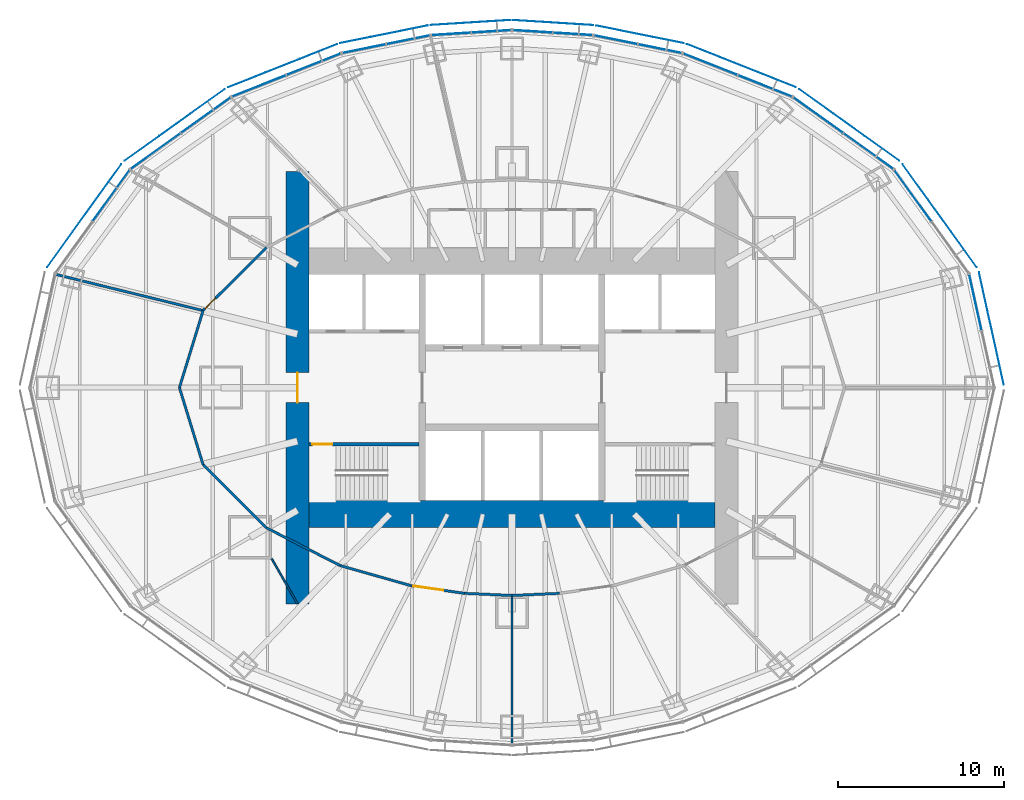
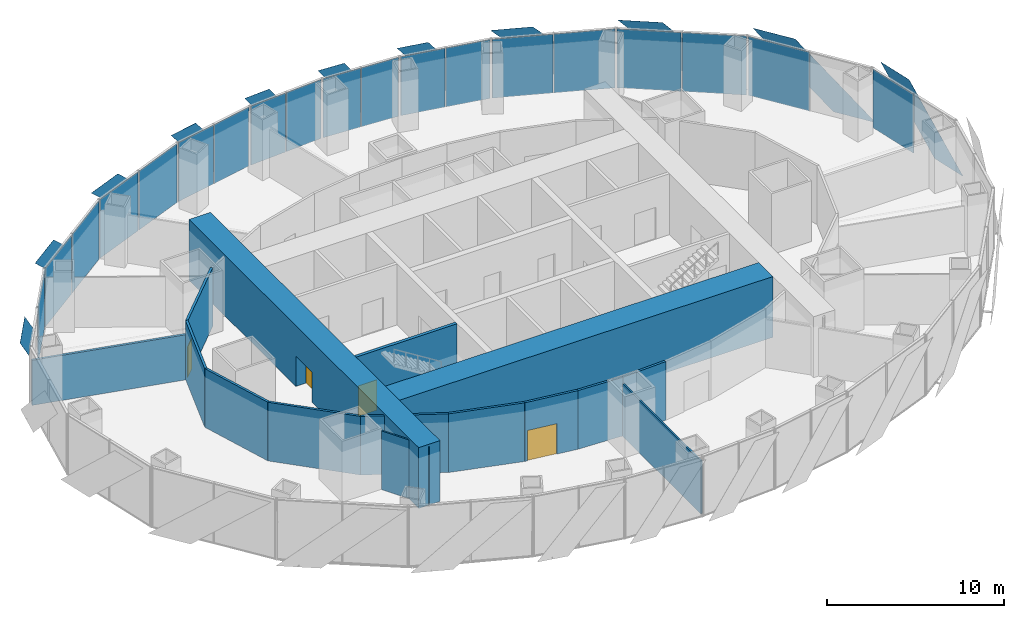
# One storey, part 10 of 18: 30 plates, 15 walls, 4 doors, 4 openings, 11 elements without a shape of their own.
"""IFC4 building model written with IfcOpenShell, lengths in metres."""

from ifc_helpers import new_model, si_unit, direction, frame, frame_2d, origin, origin_2d, place, context, subcontext, project, spatial, polyline, rectangle, outline, extrude, material, layer, layer_set, type_object, element, fill, aggregate, save


model = new_model("IFC4")

# Units and contexts
model_context = context("Model", 3, precision=1e-05, world=origin(), true_north=direction((0.0, 1.0)))
body_context = subcontext(model_context, "Body", "Model", "MODEL_VIEW")
ifc_project = project(units=[si_unit("LENGTHUNIT", "METRE"), si_unit("AREAUNIT", "SQUARE_METRE"), si_unit("VOLUMEUNIT", "CUBIC_METRE"), si_unit("PLANEANGLEUNIT", "RADIAN"), si_unit("MASSUNIT", "GRAM", prefix="KILO")], contexts=[model_context])

# Site, building, storey
site_placement = place(None, origin())
site = spatial("IfcSite", under=ifc_project, at=site_placement, CompositionType="ELEMENT")
building_placement = place(site_placement, origin())
building = spatial("IfcBuilding", under=site, at=building_placement, Name="Lantaw Convention Tower", CompositionType="ELEMENT")
storey_placement = place(building_placement, frame((0.0, 0.0, 130.0)))
storey = spatial("IfcBuildingStorey", under=building, at=storey_placement, Name="L30", CompositionType="ELEMENT", Elevation=130.0)

# Curtain wall, plate
ifc_material_1 = material(Name="Aluminium framed curtain wall", Category="aluminium")
curtain_wall_type = type_object("IfcCurtainWallType", Name="Office curtain wall low rise, pale aluminium", PredefinedType="USERDEFINED", material=ifc_material_1)
curtain_wall_1_placement = place(storey_placement, origin())
curtain_wall_1 = element("IfcCurtainWall", 1, at=curtain_wall_1_placement, inside=storey, type_object=curtain_wall_type, Name="Office curtain wall low rise, pale aluminium L30", ObjectType="UNITISED CURTAIN WALL", PredefinedType="USERDEFINED")
ifc_material_2 = material(Name="Clear insulating glass", Category="glass")
ifc_layer_1 = layer(ifc_material_2, 0.028076171875)
ifc_layer_set_1 = layer_set([ifc_layer_1], Name="CW-O1 panel 28")
plate_type_1 = type_object("IfcPlateType", Name="CW-O1 panel 28", PredefinedType="CURTAIN_PANEL", material=ifc_layer_set_1)
plate_1_placement = place(storey_placement, frame((27.868896484375, 5.1240234375, -0.0849609375), z_axis=(0.0, 0.0, 1.0), x_axis=(-0.215546166174, 0.9764936509, 0.0)))
plate_1 = element("IfcPlate", 2, at=plate_1_placement, type_object=plate_type_1, Name="CW-O1 panel 2.1", PredefinedType="CURTAIN_PANEL", context=body_context, shape_type="SweptSolid", body=[
    extrude(rectangle(XDim=3.41162109375, YDim=0.028076171875, at=origin_2d()), origin(), (0.0, 0.0, 1.0), 4.070068359375),
])
aggregate(curtain_wall_1, [plate_1])

curtain_wall_2_placement = place(storey_placement, origin())
curtain_wall_2 = element("IfcCurtainWall", 3, at=curtain_wall_2_placement, inside=storey, type_object=curtain_wall_type, Name="Office curtain wall low rise, pale aluminium L30", ObjectType="UNITISED CURTAIN WALL", PredefinedType="USERDEFINED")
plate_2_placement = place(storey_placement, frame((24.108154296875, 11.5439453125, -0.0849609375), z_axis=(0.0, 0.0, 1.0), x_axis=(-0.584512597221, 0.811384633629, 0.0)))
plate_2 = element("IfcPlate", 4, at=plate_2_placement, type_object=plate_type_1, Name="CW-O1 panel 2.1", PredefinedType="CURTAIN_PANEL", context=body_context, shape_type="SweptSolid", body=[
    extrude(rectangle(XDim=3.767333984375, YDim=0.028076171875, at=origin_2d()), origin(), (0.0, 0.0, 1.0), 4.070068359375),
])
aggregate(curtain_wall_2, [plate_2])

# Curtain wall, plates
curtain_wall_3_placement = place(storey_placement, origin())
curtain_wall_3 = element("IfcCurtainWall", 5, at=curtain_wall_3_placement, inside=storey, type_object=curtain_wall_type, Name="Office curtain wall low rise, pale aluminium L30", ObjectType="UNITISED CURTAIN WALL", PredefinedType="USERDEFINED")
plate_3_placement = place(storey_placement, frame((21.43408203125, 14.2236328125, -0.0849609375), z_axis=(0.0, 0.0, 1.0), x_axis=(-0.813208325995, 0.581972695693, 0.0)))
plate_3 = element("IfcPlate", 6, at=plate_3_placement, type_object=plate_type_1, Name="CW-O1 panel 1.1", PredefinedType="CURTAIN_PANEL", context=body_context, shape_type="SweptSolid", body=[
    extrude(rectangle(XDim=3.645263671875, YDim=0.028076171875, at=origin_2d()), origin(), (0.0, 0.0, 1.0), 4.070068359375),
])
plate_4_placement = place(storey_placement, frame((18.416748046875, 16.383056640625, -0.0849609375), z_axis=(0.0, 0.0, 1.0), x_axis=(-0.813208325995, 0.581972695693, 0.0)))
plate_4 = element("IfcPlate", 7, at=plate_4_placement, type_object=plate_type_1, Name="CW-O1 panel 2.1", PredefinedType="CURTAIN_PANEL", context=body_context, shape_type="SweptSolid", body=[
    extrude(rectangle(XDim=3.645263671875, YDim=0.028076171875, at=origin_2d()), origin(), (0.0, 0.0, 1.0), 4.070068359375),
])
aggregate(curtain_wall_3, [plate_3, plate_4])

curtain_wall_4_placement = place(storey_placement, origin())
curtain_wall_4 = element("IfcCurtainWall", 8, at=curtain_wall_4_placement, inside=storey, type_object=curtain_wall_type, Name="Office curtain wall low rise, pale aluminium L30", ObjectType="UNITISED CURTAIN WALL", PredefinedType="USERDEFINED")
plate_5_placement = place(storey_placement, frame((15.208251953125, 18.145263671875, -0.0849609375), z_axis=(0.0, 0.0, 1.0), x_axis=(-0.929547687544, 0.368701907483, 0.0)))
plate_5 = element("IfcPlate", 9, at=plate_5_placement, type_object=plate_type_1, Name="CW-O1 panel 1.1", PredefinedType="CURTAIN_PANEL", context=body_context, shape_type="SweptSolid", body=[
    extrude(rectangle(XDim=3.470703125, YDim=0.028076171875, at=origin_2d()), origin(), (0.0, 0.0, 1.0), 4.070068359375),
])
plate_6_placement = place(storey_placement, frame((11.921630859375, 19.448974609375, -0.0849609375), z_axis=(0.0, 0.0, 1.0), x_axis=(-0.929547687544, 0.368701907483, 0.0)))
plate_6 = element("IfcPlate", 10, at=plate_6_placement, type_object=plate_type_1, Name="CW-O1 panel 2.1", PredefinedType="CURTAIN_PANEL", context=body_context, shape_type="SweptSolid", body=[
    extrude(rectangle(XDim=3.470703125, YDim=0.028076171875, at=origin_2d()), origin(), (0.0, 0.0, 1.0), 4.070068359375),
])
aggregate(curtain_wall_4, [plate_5, plate_6])

curtain_wall_5_placement = place(storey_placement, origin())
curtain_wall_5 = element("IfcCurtainWall", 11, at=curtain_wall_5_placement, inside=storey, type_object=curtain_wall_type, Name="Office curtain wall low rise, pale aluminium L30", ObjectType="UNITISED CURTAIN WALL", PredefinedType="USERDEFINED")
plate_7_placement = place(storey_placement, frame((8.893310546875, 20.3857421875, -0.0849609375), z_axis=(0.0, 0.0, 1.0), x_axis=(-0.980301514912, 0.197506809659, 0.0)))
plate_7 = element("IfcPlate", 12, at=plate_7_placement, type_object=plate_type_1, Name="CW-O1 panel 1.1", PredefinedType="CURTAIN_PANEL", context=body_context, shape_type="SweptSolid", body=[
    extrude(rectangle(XDim=2.634033203125, YDim=0.028076171875, at=origin_2d()), origin(), (0.0, 0.0, 1.0), 4.070068359375),
])
plate_8_placement = place(storey_placement, frame((6.247314453125, 20.9189453125, -0.0849609375), z_axis=(0.0, 0.0, 1.0), x_axis=(-0.980301514912, 0.197506809659, 0.0)))
plate_8 = element("IfcPlate", 13, at=plate_8_placement, type_object=plate_type_1, Name="CW-O1 panel 2.1", PredefinedType="CURTAIN_PANEL", context=body_context, shape_type="SweptSolid", body=[
    extrude(rectangle(XDim=2.634033203125, YDim=0.028076171875, at=origin_2d()), origin(), (0.0, 0.0, 1.0), 4.070068359375),
])
aggregate(curtain_wall_5, [plate_7, plate_8])

curtain_wall_6_placement = place(storey_placement, origin())
curtain_wall_6 = element("IfcCurtainWall", 14, at=curtain_wall_6_placement, inside=storey, type_object=curtain_wall_type, Name="Office curtain wall low rise, pale aluminium L30", ObjectType="UNITISED CURTAIN WALL", PredefinedType="USERDEFINED")
plate_9_placement = place(storey_placement, frame((3.653076171875, 21.269775390625, -0.0849609375), z_axis=(0.0, 0.0, 1.0), x_axis=(-0.998022035978, 0.062865059466, 0.0)))
plate_9 = element("IfcPlate", 15, at=plate_9_placement, type_object=plate_type_1, Name="CW-O1 panel 1.1", PredefinedType="CURTAIN_PANEL", context=body_context, shape_type="SweptSolid", body=[
    extrude(rectangle(XDim=2.353515625, YDim=0.028076171875, at=origin_2d()), origin(), (0.0, 0.0, 1.0), 4.070068359375),
])
plate_10_placement = place(storey_placement, frame((1.2392578125, 21.421875, -0.0849609375), z_axis=(0.0, 0.0, 1.0), x_axis=(-0.998022035978, 0.062865059466, 0.0)))
plate_10 = element("IfcPlate", 16, at=plate_10_placement, type_object=plate_type_1, Name="CW-O1 panel 2.1", PredefinedType="CURTAIN_PANEL", context=body_context, shape_type="SweptSolid", body=[
    extrude(rectangle(XDim=2.353515625, YDim=0.028076171875, at=origin_2d()), origin(), (0.0, 0.0, 1.0), 4.070068359375),
])
aggregate(curtain_wall_6, [plate_9, plate_10])

curtain_wall_7_placement = place(storey_placement, origin())
curtain_wall_7 = element("IfcCurtainWall", 17, at=curtain_wall_7_placement, inside=storey, type_object=curtain_wall_type, Name="Office curtain wall low rise, pale aluminium L30", ObjectType="UNITISED CURTAIN WALL", PredefinedType="USERDEFINED")
plate_11_placement = place(storey_placement, frame((-1.2392578125, 21.421875, -0.0849609375), z_axis=(0.0, 0.0, 1.0), x_axis=(-0.998022035978, -0.062865059466, 0.0)))
plate_11 = element("IfcPlate", 18, at=plate_11_placement, type_object=plate_type_1, Name="CW-O1 panel 1.1", PredefinedType="CURTAIN_PANEL", context=body_context, shape_type="SweptSolid", body=[
    extrude(rectangle(XDim=2.353515625, YDim=0.028076171875, at=origin_2d()), origin(), (0.0, 0.0, 1.0), 4.070068359375),
])
plate_12_placement = place(storey_placement, frame((-3.653076171875, 21.269775390625, -0.0849609375), z_axis=(0.0, 0.0, 1.0), x_axis=(-0.998022035978, -0.062865059466, 0.0)))
plate_12 = element("IfcPlate", 19, at=plate_12_placement, type_object=plate_type_1, Name="CW-O1 panel 2.1", PredefinedType="CURTAIN_PANEL", context=body_context, shape_type="SweptSolid", body=[
    extrude(rectangle(XDim=2.353515625, YDim=0.028076171875, at=origin_2d()), origin(), (0.0, 0.0, 1.0), 4.070068359375),
])
aggregate(curtain_wall_7, [plate_11, plate_12])

curtain_wall_8_placement = place(storey_placement, origin())
curtain_wall_8 = element("IfcCurtainWall", 20, at=curtain_wall_8_placement, inside=storey, type_object=curtain_wall_type, Name="Office curtain wall low rise, pale aluminium L30", ObjectType="UNITISED CURTAIN WALL", PredefinedType="USERDEFINED")
plate_13_placement = place(storey_placement, frame((-6.247314453125, 20.9189453125, -0.0849609375), z_axis=(0.0, 0.0, 1.0), x_axis=(-0.980301514912, -0.197506809659, 0.0)))
plate_13 = element("IfcPlate", 21, at=plate_13_placement, type_object=plate_type_1, Name="CW-O1 panel 1.1", PredefinedType="CURTAIN_PANEL", context=body_context, shape_type="SweptSolid", body=[
    extrude(rectangle(XDim=2.634033203125, YDim=0.028076171875, at=origin_2d()), origin(), (0.0, 0.0, 1.0), 4.070068359375),
])
plate_14_placement = place(storey_placement, frame((-8.893310546875, 20.3857421875, -0.0849609375), z_axis=(0.0, 0.0, 1.0), x_axis=(-0.980301514912, -0.197506809659, 0.0)))
plate_14 = element("IfcPlate", 22, at=plate_14_placement, type_object=plate_type_1, Name="CW-O1 panel 2.1", PredefinedType="CURTAIN_PANEL", context=body_context, shape_type="SweptSolid", body=[
    extrude(rectangle(XDim=2.634033203125, YDim=0.028076171875, at=origin_2d()), origin(), (0.0, 0.0, 1.0), 4.070068359375),
])
aggregate(curtain_wall_8, [plate_13, plate_14])

curtain_wall_9_placement = place(storey_placement, origin())
curtain_wall_9 = element("IfcCurtainWall", 23, at=curtain_wall_9_placement, inside=storey, type_object=curtain_wall_type, Name="Office curtain wall low rise, pale aluminium L30", ObjectType="UNITISED CURTAIN WALL", PredefinedType="USERDEFINED")
plate_15_placement = place(storey_placement, frame((-11.921630859375, 19.448974609375, -0.0849609375), z_axis=(0.0, 0.0, 1.0), x_axis=(-0.929547687544, -0.368701907483, 0.0)))
plate_15 = element("IfcPlate", 24, at=plate_15_placement, type_object=plate_type_1, Name="CW-O1 panel 1.1", PredefinedType="CURTAIN_PANEL", context=body_context, shape_type="SweptSolid", body=[
    extrude(rectangle(XDim=3.470703125, YDim=0.028076171875, at=origin_2d()), origin(), (0.0, 0.0, 1.0), 4.070068359375),
])
plate_16_placement = place(storey_placement, frame((-15.208251953125, 18.145263671875, -0.0849609375), z_axis=(0.0, 0.0, 1.0), x_axis=(-0.929547687544, -0.368701907483, 0.0)))
plate_16 = element("IfcPlate", 25, at=plate_16_placement, type_object=plate_type_1, Name="CW-O1 panel 2.1", PredefinedType="CURTAIN_PANEL", context=body_context, shape_type="SweptSolid", body=[
    extrude(rectangle(XDim=3.470703125, YDim=0.028076171875, at=origin_2d()), origin(), (0.0, 0.0, 1.0), 4.070068359375),
])
aggregate(curtain_wall_9, [plate_15, plate_16])

curtain_wall_10_placement = place(storey_placement, origin())
curtain_wall_10 = element("IfcCurtainWall", 26, at=curtain_wall_10_placement, inside=storey, type_object=curtain_wall_type, Name="Office curtain wall low rise, pale aluminium L30", ObjectType="UNITISED CURTAIN WALL", PredefinedType="USERDEFINED")
plate_17_placement = place(storey_placement, frame((-18.416748046875, 16.383056640625, -0.0849609375), z_axis=(0.0, 0.0, 1.0), x_axis=(-0.813208325995, -0.581972695693, 0.0)))
plate_17 = element("IfcPlate", 27, at=plate_17_placement, type_object=plate_type_1, Name="CW-O1 panel 1.1", PredefinedType="CURTAIN_PANEL", context=body_context, shape_type="SweptSolid", body=[
    extrude(rectangle(XDim=3.645263671875, YDim=0.028076171875, at=origin_2d()), origin(), (0.0, 0.0, 1.0), 4.070068359375),
])
plate_18_placement = place(storey_placement, frame((-21.43408203125, 14.2236328125, -0.0849609375), z_axis=(0.0, 0.0, 1.0), x_axis=(-0.813208325995, -0.581972695693, 0.0)))
plate_18 = element("IfcPlate", 28, at=plate_18_placement, type_object=plate_type_1, Name="CW-O1 panel 2.1", PredefinedType="CURTAIN_PANEL", context=body_context, shape_type="SweptSolid", body=[
    extrude(rectangle(XDim=3.645263671875, YDim=0.028076171875, at=origin_2d()), origin(), (0.0, 0.0, 1.0), 4.070068359375),
])
aggregate(curtain_wall_10, [plate_17, plate_18])

# Curtain wall, plate
curtain_wall_11_placement = place(storey_placement, origin())
curtain_wall_11 = element("IfcCurtainWall", 29, at=curtain_wall_11_placement, inside=storey, type_object=curtain_wall_type, Name="Office curtain wall low rise, pale aluminium L30", ObjectType="UNITISED CURTAIN WALL", PredefinedType="USERDEFINED")
plate_19_placement = place(storey_placement, frame((-24.108154296875, 11.5439453125, -0.0849609375), z_axis=(0.0, 0.0, 1.0), x_axis=(-0.584512597221, -0.811384633629, 0.0)))
plate_19 = element("IfcPlate", 30, at=plate_19_placement, type_object=plate_type_1, Name="CW-O1 panel 1.1", PredefinedType="CURTAIN_PANEL", context=body_context, shape_type="SweptSolid", body=[
    extrude(rectangle(XDim=3.767333984375, YDim=0.028076171875, at=origin_2d()), origin(), (0.0, 0.0, 1.0), 4.070068359375),
])
aggregate(curtain_wall_11, [plate_19])

# Plates
ifc_material_3 = material(Name="Perforated aluminium sheet, pale silver finish", Category="aluminium")
ifc_layer_2 = layer(ifc_material_3, 0.006103515625)
ifc_layer_set_2 = layer_set([ifc_layer_2], Name="Perforated aluminium solar SCREEN panel")
plate_type_2 = type_object("IfcPlateType", Name="Perforated aluminium solar SCREEN panel", PredefinedType="SHEET", material=ifc_layer_set_2)
plate_20_placement = place(storey_placement, frame((29.5810546875, 0.179443359375, -0.175048828125), z_axis=(0.976497812463, 0.215527309509, 3.332717e-05), x_axis=(-0.215527309629, 0.976497813005, 1.665e-09)))
element("IfcPlate", 31, at=plate_20_placement, inside=storey, type_object=plate_type_2, Name="Solar SCREEN panel", PredefinedType="SHEET", context=body_context, shape_type="SweptSolid", body=[
    extrude(outline(polyline([(0.0, 0.0), (2.3861843673609986, 3.3881317890172014e-21), (6.918240190546627, 4.340087881517419), (4.532108442157707, 4.340087889462621), (0.0, 0.0)])), origin(), (0.0, 0.0, -1.0), 0.006103515625),
])
plate_21_placement = place(storey_placement, frame((27.94970703125, 7.248046875, -0.175048828125), z_axis=(0.81139512159, 0.584498037099, 3.5886784e-05), x_axis=(-0.584498037475, 0.811395122112, -9.74e-10)))
element("IfcPlate", 32, at=plate_21_placement, inside=storey, type_object=plate_type_2, Name="Solar SCREEN panel", PredefinedType="SHEET", context=body_context, shape_type="SweptSolid", body=[
    extrude(outline(polyline([(0.0, 0.0), (2.628222178575422, -6.776263578034403e-21), (7.629778257969264, 4.340087900852944), (5.001754173906077, 4.340087895732103), (0.0, 0.0)])), origin(), (0.0, 0.0, -1.0), 0.006103515625),
])
plate_22_placement = place(storey_placement, frame((23.281005859375, 13.64697265625, -0.175048828125), z_axis=(0.582000183937, 0.813188653244, 1.1537145e-05), x_axis=(-0.813188653298, 0.582000183975, 0.0)))
element("IfcPlate", 33, at=plate_22_placement, inside=storey, type_object=plate_type_2, Name="Solar SCREEN panel", PredefinedType="SHEET", context=body_context, shape_type="SweptSolid", body=[
    extrude(outline(polyline([(0.0, 0.0), (2.5450183911586484, 0.0), (7.385531276904658, 4.340087890913846), (4.840512885746009, 4.340087890913846), (0.0, 0.0)])), origin(), (0.0, 0.0, -1.0), 0.006103515625),
])
plate_23_placement = place(storey_placement, frame((17.05859375, 18.063232421875, -0.175048828125), z_axis=(-0.368708915367, -0.929544907797, 1.086705e-05), x_axis=(-0.929544907851, 0.368708915389, 7.1e-10)))
element("IfcPlate", 34, at=plate_23_placement, inside=storey, type_object=plate_type_2, Name="Solar SCREEN panel", PredefinedType="SHEET", context=body_context, shape_type="SweptSolid", body=[
    extrude(outline(polyline([(0.0, 0.0), (2.4263803793049097, -1.6940658945086007e-21), (7.036549629566982, -4.340087885886879), (4.61003232741235, -4.340087889331358), (0.0, 0.0)])), origin(), (0.0, 0.0, -1.0), 0.006103515625),
])
plate_24_placement = place(storey_placement, frame((10.318603515625, 20.716796875, -0.175048828125), z_axis=(0.197556725442, 0.980291455983, 3.9483498e-05), x_axis=(-0.980291456747, 0.197556725596, 0.0)))
element("IfcPlate", 35, at=plate_24_placement, inside=storey, type_object=plate_type_2, Name="Solar SCREEN panel", PredefinedType="SHEET", context=body_context, shape_type="SweptSolid", body=[
    extrude(outline(polyline([(0.0, 0.0), (1.8574075788555457, 3.3881317890172014e-21), (5.362987026845185, 4.340087894007983), (3.505579447989639, 4.340087894007983), (0.0, 0.0)])), origin(), (0.0, 0.0, -1.0), 0.006103515625),
])
plate_25_placement = place(storey_placement, frame((4.880615234375, 21.7998046875, -0.175048828125), z_axis=(0.062838799866, 0.998023689713, 1.755059e-06), x_axis=(-0.998023689715, 0.062838799866, -8e-12)))
element("IfcPlate", 36, at=plate_25_placement, inside=storey, type_object=plate_type_2, Name="Solar SCREEN panel", PredefinedType="SHEET", context=body_context, shape_type="SweptSolid", body=[
    extrude(outline(polyline([(0.0, 0.0), (1.6666243269452135, 2.6469779601696886e-23), (4.802214797186689, 4.340087890670476), (3.135346812114104, 4.340087890643548), (0.0, 0.0)])), origin(), (0.0, 0.0, -1.0), 0.006103515625),
])
plate_26_placement = place(storey_placement, frame((-0.087890625, 22.1015625, -0.175048828125), z_axis=(0.062838799866, -0.998023689713, 1.755059e-06), x_axis=(-0.998023689715, -0.062838799866, 8e-12)))
element("IfcPlate", 37, at=plate_26_placement, inside=storey, type_object=plate_type_2, Name="Solar SCREEN panel", PredefinedType="SHEET", context=body_context, shape_type="SweptSolid", body=[
    extrude(outline(polyline([(0.0, 0.0), (1.6668679850725854, -5.293955920339377e-23), (4.802214797256801, -4.340087890592899), (3.1355904703115876, -4.340087890619822), (0.0, 0.0)])), origin(), (0.0, 0.0, -1.0), 0.006103515625),
])
plate_27_placement = place(storey_placement, frame((-5.061279296875, 21.776123046875, -0.175048828125), z_axis=(0.197556725442, -0.980291455983, 3.9483498e-05), x_axis=(-0.980291456747, -0.197556725596, 0.0)))
element("IfcPlate", 38, at=plate_27_placement, inside=storey, type_object=plate_type_2, Name="Solar SCREEN panel", PredefinedType="SHEET", context=body_context, shape_type="SweptSolid", body=[
    extrude(outline(polyline([(0.0, 0.0), (1.8574075788555457, -3.3881317890172014e-21), (5.362987026845185, -4.340087894007983), (3.505579447989639, -4.340087894007983), (0.0, 0.0)])), origin(), (0.0, 0.0, -1.0), 0.006103515625),
])
plate_28_placement = place(storey_placement, frame((-10.517822265625, 20.65771484375, -0.175048828125), z_axis=(-0.368708915367, 0.929544907797, 1.086705e-05), x_axis=(-0.929544907851, -0.368708915389, -7.1e-10)))
element("IfcPlate", 39, at=plate_28_placement, inside=storey, type_object=plate_type_2, Name="Solar SCREEN panel", PredefinedType="SHEET", context=body_context, shape_type="SweptSolid", body=[
    extrude(outline(polyline([(0.0, 0.0), (2.426517302154632, -1.6940658945086007e-21), (7.036549623406159, 4.340087895875372), (4.610169244101249, 4.340087892431086), (0.0, 0.0)])), origin(), (0.0, 0.0, -1.0), 0.006103515625),
])
plate_29_placement = place(storey_placement, frame((-17.275146484375, 17.9453125, -0.175048828125), z_axis=(0.582000183937, -0.813188653244, 1.1537145e-05), x_axis=(-0.813188653298, -0.582000183975, 0.0)))
element("IfcPlate", 40, at=plate_29_placement, inside=storey, type_object=plate_type_2, Name="Solar SCREEN panel", PredefinedType="SHEET", context=body_context, shape_type="SweptSolid", body=[
    extrude(outline(polyline([(0.0, 0.0), (2.5450183911586484, 0.0), (7.385531276904658, -4.340087890913846), (4.840512885746009, -4.340087890913846), (0.0, 0.0)])), origin(), (0.0, 0.0, -1.0), 0.006103515625),
])
plate_30_placement = place(storey_placement, frame((-23.489990234375, 13.438720703125, -0.175048828125), z_axis=(0.81139512159, -0.584498037099, 3.5886784e-05), x_axis=(-0.584498037475, -0.811395122112, 9.74e-10)))
element("IfcPlate", 41, at=plate_30_placement, inside=storey, type_object=plate_type_2, Name="Solar SCREEN panel", PredefinedType="SHEET", context=body_context, shape_type="SweptSolid", body=[
    extrude(outline(polyline([(0.0, 0.0), (2.6280240840631874, -6.776263578034403e-21), (7.6297782664261495, -4.340087885985926), (5.0015560878507275, -4.340087891107152), (0.0, 0.0)])), origin(), (0.0, 0.0, -1.0), 0.006103515625),
])

# Wall, opening, door
ifc_material_4 = material(Name="Concrete C60/75", Category="concrete")
ifc_layer_3 = layer(ifc_material_4, 1.39990234375)
ifc_layer_set_3 = layer_set([ifc_layer_3], Name="Core wall 1400")
wall_type_1 = type_object("IfcWallType", Name="Core wall 1400", PredefinedType="SHEAR", material=ifc_layer_set_3)
wall_1_placement = place(storey_placement, frame((-12.89990234375, 13.0, 0.0), z_axis=(0.0, 0.0, 1.0), x_axis=(0.0, -1.0, 0.0)))
wall_1 = element("IfcWall", 42, at=wall_1_placement, inside=storey, type_object=wall_type_1, Name="Core wall W", PredefinedType="SHEAR", context=body_context, shape_type="SweptSolid", body=[
    extrude(rectangle(XDim=26.0, YDim=1.39990234375, at=frame_2d((13.0, 0.0))), origin(), (0.0, 0.0, 1.0), 4.199951171875),
])
opening_1_placement = place(wall_1_placement, frame((12.10009765625, 0.0, 0.0)))
opening_1 = element("IfcOpeningElement", 43, at=opening_1_placement, cuts=wall_1, Name="Opening L30.06", PredefinedType="OPENING", context=body_context, shape_type="SweptSolid", body=[
    extrude(rectangle(XDim=1.800048828125, YDim=2.10009765625, at=frame_2d((0.89990234375, 1.050048828125))), frame((0.0, 0.7099609375, 0.0), z_axis=(0.0, -1.0, 0.0), x_axis=(1.0, 0.0, 0.0)), (0.0, 0.0, 1.0), 1.419921875),
])
ifc_material_5 = material(Name="Steel, fire rated", Category="steel")
door_type_1 = type_object("IfcDoorType", Name="Lobby double door FD90", OperationType="DOUBLE_DOOR_DOUBLE_SWING", PredefinedType="DOOR", material=ifc_material_5)
door_1_placement = place(opening_1_placement, origin())
door_1 = element("IfcDoor", 44, at=door_1_placement, inside=storey, type_object=door_type_1, Name="Firefighting lobby door", OperationType="DOUBLE_DOOR_DOUBLE_SWING", OverallHeight=2.10009765625, OverallWidth=1.800048828125, PredefinedType="DOOR", context=body_context, shape_type="SweptSolid", body=[
    extrude(rectangle(XDim=1.800048828125, YDim=2.10009765625, at=frame_2d((0.89990234375, 1.050048828125))), frame((0.0, 0.02490234375, 0.0), z_axis=(0.0, -1.0, 0.0), x_axis=(1.0, 0.0, 0.0)), (0.0, 0.0, 1.0), 0.050048828125),
])
fill(opening_1, door_1)

# Wall
ifc_layer_4 = layer(ifc_material_4, 1.60009765625)
ifc_layer_set_4 = layer_set([ifc_layer_4], Name="Core wall 1600")
wall_type_2 = type_object("IfcWallType", Name="Core wall 1600", PredefinedType="SHEAR", material=ifc_layer_set_4)
wall_2_placement = place(storey_placement, frame((-12.199951171875, -7.60009765625, 0.0), z_axis=(0.0, 0.0, 1.0), x_axis=(1.0, 0.0, 0.0)))
element("IfcWall", 45, at=wall_2_placement, inside=storey, type_object=wall_type_2, Name="Core wall S", PredefinedType="SHEAR", context=body_context, shape_type="SweptSolid", body=[
    extrude(rectangle(XDim=24.39990234375, YDim=1.60009765625, at=frame_2d((12.199951171875, 0.0))), origin(), (0.0, 0.0, 1.0), 4.199951171875),
])

# Wall, opening, door
ifc_layer_5 = layer(ifc_material_4, 0.199951171875)
ifc_layer_set_5 = layer_set([ifc_layer_5], Name="Core wall 200")
wall_type_3 = type_object("IfcWallType", Name="Core wall 200", PredefinedType="SHEAR", material=ifc_layer_set_5)
wall_3_placement = place(storey_placement, frame((-5.60009765625, -3.39990234375, 0.0), z_axis=(0.0, 0.0, 1.0), x_axis=(-1.0, 0.0, 0.0)))
wall_3 = element("IfcWall", 46, at=wall_3_placement, inside=storey, type_object=wall_type_3, Name="Core wall WS", PredefinedType="SHEAR", context=body_context, shape_type="SweptSolid", body=[
    extrude(rectangle(XDim=6.599853515625, YDim=0.199951171875, at=frame_2d((3.2998046875, 0.0))), origin(), (0.0, 0.0, 1.0), 4.199951171875),
])
opening_2_placement = place(wall_3_placement, frame((5.199951171875, 0.0, 0.0)))
opening_2 = element("IfcOpeningElement", 47, at=opening_2_placement, cuts=wall_3, Name="Opening L30.04", PredefinedType="OPENING", context=body_context, shape_type="SweptSolid", body=[
    extrude(rectangle(XDim=1.199951171875, YDim=2.10009765625, at=frame_2d((0.60009765625, 1.050048828125))), frame((0.0, 0.10986328125, 0.0), z_axis=(0.0, -1.0, 0.0), x_axis=(1.0, 0.0, 0.0)), (0.0, 0.0, 1.0), 0.219970703125),
])
door_type_2 = type_object("IfcDoorType", Name="Stair door FD90", OperationType="SINGLE_SWING_RIGHT", PredefinedType="DOOR", material=ifc_material_5)
door_2_placement = place(opening_2_placement, origin())
door_2 = element("IfcDoor", 48, at=door_2_placement, inside=storey, type_object=door_type_2, Name="Exit stair door", OperationType="SINGLE_SWING_RIGHT", OverallHeight=2.10009765625, OverallWidth=1.199951171875, PredefinedType="DOOR", context=body_context, shape_type="SweptSolid", body=[
    extrude(rectangle(XDim=1.199951171875, YDim=2.10009765625, at=frame_2d((0.60009765625, 1.050048828125))), frame((0.0, 0.02490234375, 0.0), z_axis=(0.0, -1.0, 0.0), x_axis=(1.0, 0.0, 0.0)), (0.0, 0.0, 1.0), 0.050048828125),
])
fill(opening_2, door_2)

ifc_material_6 = material(Name="Gypsum board on steel studs, fire rated", Category="steel")
ifc_layer_6 = layer(ifc_material_6, 0.14990234375)
ifc_layer_set_6 = layer_set([ifc_layer_6], Name="Corridor wall 150 EI 60")
wall_type_4 = type_object("IfcWallType", Name="Corridor wall 150 EI 60", PredefinedType="PARTITIONING", material=ifc_layer_set_6)
wall_4_placement = place(storey_placement, frame((-14.760498046875, 8.4345703125, 0.0), z_axis=(0.0, 0.0, 1.0), x_axis=(-0.708306665233, -0.705904857603, 0.0)))
wall_4 = element("IfcWall", 49, at=wall_4_placement, inside=storey, type_object=wall_type_4, Name="Corridor wall 150", PredefinedType="PARTITIONING", context=body_context, shape_type="SweptSolid", body=[
    extrude(rectangle(XDim=5.387451171875, YDim=0.14990234375, at=frame_2d((2.69384765625, 0.0))), origin(), (0.0, 0.0, 1.0), 4.050048828125),
])
opening_3_placement = place(wall_4_placement, frame((4.33740234375, 0.0, 0.0)))
opening_3 = element("IfcOpeningElement", 50, at=opening_3_placement, cuts=wall_4, Name="Opening L30.21", PredefinedType="OPENING", context=body_context, shape_type="SweptSolid", body=[
    extrude(rectangle(XDim=0.89990234375, YDim=2.10009765625, at=frame_2d((0.449951171875, 1.050048828125))), frame((0.0, 0.0849609375, 0.0), z_axis=(0.0, -1.0, 0.0), x_axis=(1.0, 0.0, 0.0)), (0.0, 0.0, 1.0), 0.169921875),
])
door_type_3 = type_object("IfcDoorType", Name="Office door 900 FD30", OperationType="SINGLE_SWING_LEFT", PredefinedType="DOOR", material=ifc_material_5)
door_3_placement = place(opening_3_placement, origin())
door_3 = element("IfcDoor", 51, at=door_3_placement, inside=storey, type_object=door_type_3, Name="24-hour pantry door", OperationType="SINGLE_SWING_LEFT", OverallHeight=2.10009765625, OverallWidth=0.89990234375, PredefinedType="DOOR", context=body_context, shape_type="SweptSolid", body=[
    extrude(rectangle(XDim=0.89990234375, YDim=2.10009765625, at=frame_2d((0.449951171875, 1.050048828125))), frame((0.0, 0.02490234375, 0.0), z_axis=(0.0, -1.0, 0.0), x_axis=(1.0, 0.0, 0.0)), (0.0, 0.0, 1.0), 0.050048828125),
])
fill(opening_3, door_3)

# Walls
for number, where, z_axis, x_axis, name in (
    (52, (-18.576416015625, 4.631591796875, 0.0), (0.0, 0.0, 1.0), (-0.293799045613, -0.955867208767, 0.0), "Corridor wall 150"),
    (53, (-20.0, 0.0, 0.0), (0.0, 0.0, 1.0), (0.293799045613, -0.955867208767, 0.0), "Corridor wall 150"),
):
    element("IfcWall", number, at=place(storey_placement, frame(where, z_axis=z_axis, x_axis=x_axis)), inside=storey, type_object=wall_type_4, Name=name, PredefinedType="PARTITIONING", context=body_context, shape_type="SweptSolid", body=[
        extrude(rectangle(XDim=4.845458984375, YDim=0.14990234375, at=frame_2d((2.4228515625, 0.0))), origin(), (0.0, 0.0, 1.0), 4.050048828125),
    ])
wall_5_placement = place(storey_placement, frame((-18.576416015625, -4.631591796875, 0.0), z_axis=(0.0, 0.0, 1.0), x_axis=(0.708306665233, -0.705904857603, 0.0)))
element("IfcWall", 54, at=wall_5_placement, inside=storey, type_object=wall_type_4, Name="Corridor wall 150", PredefinedType="PARTITIONING", context=body_context, shape_type="SweptSolid", body=[
    extrude(rectangle(XDim=5.387451171875, YDim=0.14990234375, at=frame_2d((2.69384765625, 0.0))), origin(), (0.0, 0.0, 1.0), 4.050048828125),
])
wall_6_placement = place(storey_placement, frame((-14.760498046875, -8.4345703125, 0.0), z_axis=(0.0, 0.0, 1.0), x_axis=(0.890004978294, -0.455950807227, 0.0)))
element("IfcWall", 55, at=wall_6_placement, inside=storey, type_object=wall_type_4, Name="Corridor wall 150", PredefinedType="PARTITIONING", context=body_context, shape_type="SweptSolid", body=[
    extrude(rectangle(XDim=4.97265625, YDim=0.14990234375, at=frame_2d((2.486328125, 0.0))), origin(), (0.0, 0.0, 1.0), 4.050048828125),
])
wall_7_placement = place(storey_placement, frame((-10.334716796875, -10.701904296875, 0.0), z_axis=(0.0, 0.0, 1.0), x_axis=(0.962122152905, -0.272618713388, 0.0)))
element("IfcWall", 56, at=wall_7_placement, inside=storey, type_object=wall_type_4, Name="Corridor wall 150", PredefinedType="PARTITIONING", context=body_context, shape_type="SweptSolid", body=[
    extrude(rectangle(XDim=4.433837890625, YDim=0.14990234375, at=frame_2d((2.216796875, 0.0))), origin(), (0.0, 0.0, 1.0), 4.050048828125),
])

# Wall, opening, door
wall_8_placement = place(storey_placement, frame((-6.06884765625, -11.91064453125, 0.0), z_axis=(0.0, 0.0, 1.0), x_axis=(0.989852979412, -0.14209531713, 0.0)))
wall_8 = element("IfcWall", 57, at=wall_8_placement, inside=storey, type_object=wall_type_4, Name="Corridor wall 150", PredefinedType="PARTITIONING", context=body_context, shape_type="SweptSolid", body=[
    extrude(rectangle(XDim=3.24560546875, YDim=0.14990234375, at=frame_2d((1.622802734375, 0.0))), origin(), (0.0, 0.0, 1.0), 4.050048828125),
])
opening_4_placement = place(wall_8_placement, frame((0.14990234375, 0.0, 0.0)))
opening_4 = element("IfcOpeningElement", 58, at=opening_4_placement, cuts=wall_8, Name="Opening L30.22", PredefinedType="OPENING", context=body_context, shape_type="SweptSolid", body=[
    extrude(rectangle(XDim=1.800048828125, YDim=2.10009765625, at=frame_2d((0.89990234375, 1.050048828125))), frame((0.0, 0.0849609375, 0.0), z_axis=(0.0, -1.0, 0.0), x_axis=(1.0, 0.0, 0.0)), (0.0, 0.0, 1.0), 0.169921875),
])
door_type_4 = type_object("IfcDoorType", Name="Office double door 1800 FD30", OperationType="DOUBLE_DOOR_DOUBLE_SWING", PredefinedType="DOOR", material=ifc_material_5)
door_4_placement = place(opening_4_placement, origin())
door_4 = element("IfcDoor", 59, at=door_4_placement, inside=storey, type_object=door_type_4, Name="Contact-centre floor door", OperationType="DOUBLE_DOOR_DOUBLE_SWING", OverallHeight=2.10009765625, OverallWidth=1.800048828125, PredefinedType="DOOR", context=body_context, shape_type="SweptSolid", body=[
    extrude(rectangle(XDim=1.800048828125, YDim=2.10009765625, at=frame_2d((0.89990234375, 1.050048828125))), frame((0.0, 0.02490234375, 0.0), z_axis=(0.0, -1.0, 0.0), x_axis=(1.0, 0.0, 0.0)), (0.0, 0.0, 1.0), 0.050048828125),
])
fill(opening_4, door_4)

# Walls
for number, where, z_axis, x_axis, name in (
    (60, (-2.856201171875, -12.371826171875, 0.0), (0.0, 0.0, 1.0), (0.998994607156, -0.044830512758, 0.0), "Corridor wall 150"),
    (61, (0.0, -12.5, 0.0), (0.0, 0.0, 1.0), (0.998994607156, 0.044830512758, 0.0), "Corridor wall 150"),
):
    element("IfcWall", number, at=place(storey_placement, frame(where, z_axis=z_axis, x_axis=x_axis)), inside=storey, type_object=wall_type_4, Name=name, PredefinedType="PARTITIONING", context=body_context, shape_type="SweptSolid", body=[
        extrude(rectangle(XDim=2.859130859375, YDim=0.14990234375, at=frame_2d((1.4296875, 0.0))), origin(), (0.0, 0.0, 1.0), 4.050048828125),
    ])
ifc_material_7 = material(Name="Gypsum board on steel studs, acoustic", Category="steel")
ifc_layer_7 = layer(ifc_material_7, 0.10009765625)
ifc_layer_set_7 = layer_set([ifc_layer_7], Name="Office partition 100")
wall_type_5 = type_object("IfcWallType", Name="Office partition 100", PredefinedType="PARTITIONING", material=ifc_layer_set_7)
wall_9_placement = place(storey_placement, frame((0.0, -21.44482421875, 0.0), z_axis=(0.0, 0.0, 1.0), x_axis=(0.0, 1.0, 0.0)))
element("IfcWall", 62, at=wall_9_placement, inside=storey, type_object=wall_type_5, Name="Office partition 100", PredefinedType="PARTITIONING", context=body_context, shape_type="SweptSolid", body=[
    extrude(rectangle(XDim=8.94482421875, YDim=0.10009765625, at=frame_2d((4.472412109375, 0.0))), origin(), (0.0, 0.0, 1.0), 3.6435546875),
])
wall_10_placement = place(storey_placement, frame((-12.89990234375, -13.0, 0.0), z_axis=(0.0, 0.0, 1.0), x_axis=(-0.497886086714, 0.867242437071, 0.0)))
element("IfcWall", 63, at=wall_10_placement, inside=storey, type_object=wall_type_5, Name="Office partition 100", PredefinedType="PARTITIONING", context=body_context, shape_type="SweptSolid", body=[
    extrude(rectangle(XDim=3.11328125, YDim=0.10009765625, at=frame_2d((1.556640625, 0.0))), origin(), (0.0, 0.0, 1.0), 4.050048828125),
])
ifc_layer_8 = layer(ifc_material_6, 0.14990234375)
ifc_layer_set_8 = layer_set([ifc_layer_8], Name="Tenant separation wall 150 EI 60")
wall_type_6 = type_object("IfcWallType", Name="Tenant separation wall 150 EI 60", PredefinedType="PARTITIONING", material=ifc_layer_set_8)
wall_11_placement = place(storey_placement, frame((-27.440673828125, 6.80908203125, 0.0), z_axis=(0.0, 0.0, 1.0), x_axis=(0.971128704348, -0.238556156056, 0.0)))
element("IfcWall", 64, at=wall_11_placement, inside=storey, type_object=wall_type_6, Name="Tenant separation wall 150", PredefinedType="PARTITIONING", context=body_context, shape_type="SweptSolid", body=[
    extrude(rectangle(XDim=9.127685546875, YDim=0.14990234375, at=frame_2d((4.56396484375, 0.0))), origin(), (0.0, 0.0, 1.0), 3.11279296875),
])

save(model, "model.ifc")
